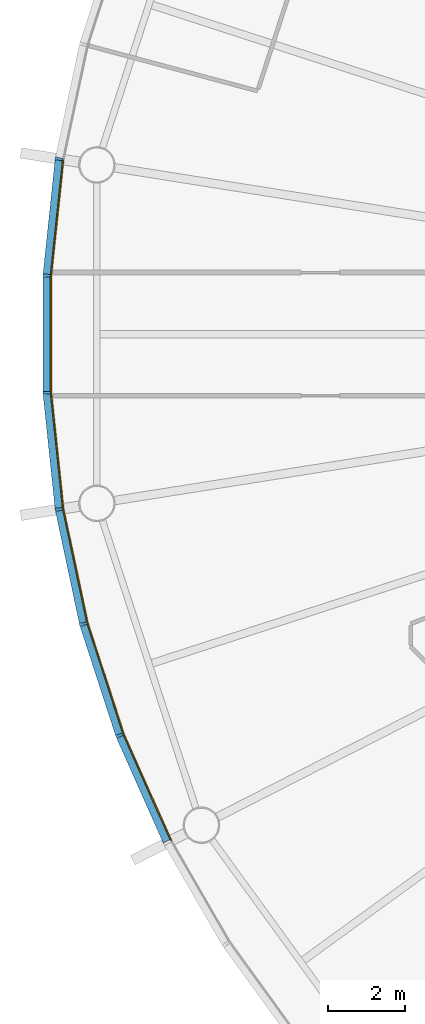
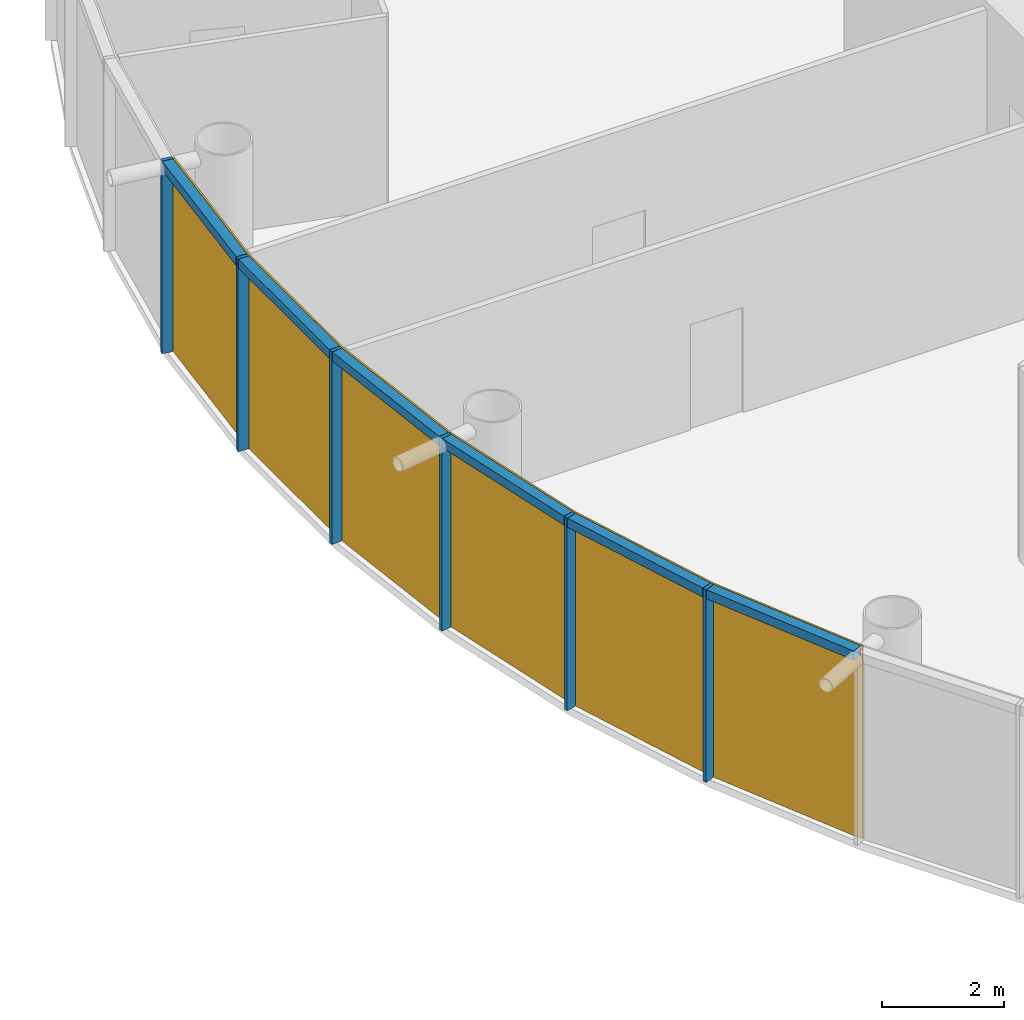
# One storey, part 8 of 13: 12 members, 2 curtain walls.
"""IFC4 building model written with IfcOpenShell, lengths in metres."""

from ifc_helpers import new_model, si_unit, direction, frame, origin, origin_2d, place, context, subcontext, project, spatial, polyline, rectangle, outline, extrude, material, layer, layer_set, material_profile, profile_set, type_object, element, aggregate, save


model = new_model("IFC4")

# Units and contexts
model_context = context("Model", 3, precision=1e-05, world=origin(), true_north=direction((0.0, 1.0)))
body_context = subcontext(model_context, "Body", "Model", "MODEL_VIEW")
ifc_project = project(units=[si_unit("LENGTHUNIT", "METRE"), si_unit("AREAUNIT", "SQUARE_METRE"), si_unit("VOLUMEUNIT", "CUBIC_METRE"), si_unit("PLANEANGLEUNIT", "RADIAN"), si_unit("MASSUNIT", "GRAM", prefix="KILO")], contexts=[model_context])

# Member
ifc_material_1 = material(Name="Anodised aluminium", Category="aluminium")
ifc_material_profile_1 = material_profile(ifc_material_1, rectangle(XDim=0.06494140625, YDim=0.195068359375, at=origin_2d()), Name="Mullion 65 x 195 mm anodised aluminium")
ifc_profile_set_1 = profile_set([ifc_material_profile_1], Name="Anodised aluminium")
member_type_1 = type_object("IfcMemberType", Name="Mullion 65 x 195 mm anodised aluminium", PredefinedType="MULLION", material=ifc_profile_set_1)
site_placement = place(None, origin())
building_placement = place(site_placement, origin())
storey_placement = place(building_placement, frame((0.0, 0.0, 290.0)))
member_1_placement = place(storey_placement, frame((61.2607421875, 84.5517578125, 0.0), z_axis=(0.0, 0.0, 1.0), x_axis=(-0.15643446504, -0.987688340595, 0.0)))
member_1 = element("IfcMember", 1, at=member_1_placement, type_object=member_type_1, Name="MULLION L66-27", PredefinedType="MULLION", context=body_context, shape_type="SweptSolid", body=[
    extrude(rectangle(XDim=0.06494140625, YDim=0.195068359375, at=origin_2d()), origin(), (0.0, 0.0, 1.0), 3.85009765625),
])

member_2_placement = place(storey_placement, frame((60.9423828125, 81.52294921875, 0.0), z_axis=(0.0, 0.0, 1.0), x_axis=(-0.052335956243, -0.998629534755, 0.0)))
member_2 = element("IfcMember", 2, at=member_2_placement, type_object=member_type_1, Name="MULLION L66-28", PredefinedType="MULLION", context=body_context, shape_type="SweptSolid", body=[
    extrude(rectangle(XDim=0.06494140625, YDim=0.195068359375, at=origin_2d()), origin(), (0.0, 0.0, 1.0), 3.85009765625),
])

member_3_placement = place(storey_placement, frame((60.9423828125, 78.47705078125, 0.0), z_axis=(0.0, 0.0, 1.0), x_axis=(0.052335956243, -0.998629534755, 0.0)))
member_3 = element("IfcMember", 3, at=member_3_placement, type_object=member_type_1, Name="MULLION L66-29", PredefinedType="MULLION", context=body_context, shape_type="SweptSolid", body=[
    extrude(rectangle(XDim=0.06494140625, YDim=0.195068359375, at=origin_2d()), origin(), (0.0, 0.0, 1.0), 3.85009765625),
])

member_4_placement = place(storey_placement, frame((61.2607421875, 75.4482421875, 0.0), z_axis=(0.0, 0.0, 1.0), x_axis=(0.15643446504, -0.987688340595, 0.0)))
member_4 = element("IfcMember", 4, at=member_4_placement, type_object=member_type_1, Name="MULLION L66-30", PredefinedType="MULLION", context=body_context, shape_type="SweptSolid", body=[
    extrude(rectangle(XDim=0.06494140625, YDim=0.195068359375, at=origin_2d()), origin(), (0.0, 0.0, 1.0), 3.85009765625),
])

member_5_placement = place(storey_placement, frame((61.89404296875, 72.468994140625, 0.0), z_axis=(0.0, 0.0, 1.0), x_axis=(0.258819045103, -0.965925826289, 0.0)))
member_5 = element("IfcMember", 5, at=member_5_placement, type_object=member_type_1, Name="MULLION L66-31", PredefinedType="MULLION", context=body_context, shape_type="SweptSolid", body=[
    extrude(rectangle(XDim=0.06494140625, YDim=0.195068359375, at=origin_2d()), origin(), (0.0, 0.0, 1.0), 3.85009765625),
])

member_6_placement = place(storey_placement, frame((62.835205078125, 69.572509765625, 0.0), z_axis=(0.0, 0.0, 1.0), x_axis=(0.358367949545, -0.933580426497, 0.0)))
member_6 = element("IfcMember", 6, at=member_6_placement, type_object=member_type_1, Name="MULLION L66-32", PredefinedType="MULLION", context=body_context, shape_type="SweptSolid", body=[
    extrude(rectangle(XDim=0.06494140625, YDim=0.195068359375, at=origin_2d()), origin(), (0.0, 0.0, 1.0), 3.85009765625),
])

ifc_material_2 = material(Name="Anodised aluminium", Category="aluminium")
ifc_material_profile_2 = material_profile(ifc_material_2, rectangle(XDim=0.195068359375, YDim=0.179931640625, at=origin_2d()), Name="Transom 180 x 195 mm anodised aluminium")
ifc_profile_set_2 = profile_set([ifc_material_profile_2], Name="Anodised aluminium")
member_type_2 = type_object("IfcMemberType", Name="Transom 180 x 195 mm anodised aluminium", PredefinedType="USERDEFINED", material=ifc_profile_set_2)
member_7_placement = place(storey_placement, frame((61.256591796875, 84.514404296875, 3.760009765625), z_axis=(-0.104466577987, -0.994528397827, 0.0), x_axis=(0.994528397827, -0.104466577987, 0.0)))
member_7 = element("IfcMember", 7, at=member_7_placement, type_object=member_type_2, Name="TRANSOM L66-27", ObjectType="TRANSOM", PredefinedType="USERDEFINED", context=body_context, shape_type="SweptSolid", body=[
    extrude(rectangle(XDim=0.195068359375, YDim=0.179931640625, at=origin_2d()), origin(), (0.0, 0.0, 1.0), 2.970458984375),
])

member_8_placement = place(storey_placement, frame((60.942138671875, 81.4853515625, 3.760009765625), z_axis=(0.0, -1.0, 0.0), x_axis=(1.0, 0.0, 0.0)))
member_8 = element("IfcMember", 8, at=member_8_placement, type_object=member_type_2, Name="TRANSOM L66-28", ObjectType="TRANSOM", PredefinedType="USERDEFINED", context=body_context, shape_type="SweptSolid", body=[
    extrude(rectangle(XDim=0.195068359375, YDim=0.179931640625, at=origin_2d()), origin(), (0.0, 0.0, 1.0), 2.970703125),
])

member_9_placement = place(storey_placement, frame((60.9462890625, 78.439697265625, 3.760009765625), z_axis=(0.104466577987, -0.994528397827, 0.0), x_axis=(0.994528397827, 0.104466577987, 0.0)))
member_9 = element("IfcMember", 9, at=member_9_placement, type_object=member_type_2, Name="TRANSOM L66-29", ObjectType="TRANSOM", PredefinedType="USERDEFINED", context=body_context, shape_type="SweptSolid", body=[
    extrude(rectangle(XDim=0.195068359375, YDim=0.179931640625, at=origin_2d()), origin(), (0.0, 0.0, 1.0), 2.970458984375),
])

member_10_placement = place(storey_placement, frame((61.268310546875, 75.411376953125, 3.760009765625), z_axis=(0.207940342877, -0.978141510112, 0.0), x_axis=(0.978141510112, 0.207940342877, 0.0)))
member_10 = element("IfcMember", 10, at=member_10_placement, type_object=member_type_2, Name="TRANSOM L66-30", ObjectType="TRANSOM", PredefinedType="USERDEFINED", context=body_context, shape_type="SweptSolid", body=[
    extrude(rectangle(XDim=0.195068359375, YDim=0.179931640625, at=origin_2d()), origin(), (0.0, 0.0, 1.0), 2.970458984375),
])

member_11_placement = place(storey_placement, frame((61.905517578125, 72.43310546875, 3.760009765625), z_axis=(0.309043326415, -0.951047960094, 0.0), x_axis=(0.951047960094, 0.309043326415, 0.0)))
member_11 = element("IfcMember", 11, at=member_11_placement, type_object=member_type_2, Name="TRANSOM L66-31", ObjectType="TRANSOM", PredefinedType="USERDEFINED", context=body_context, shape_type="SweptSolid", body=[
    extrude(rectangle(XDim=0.195068359375, YDim=0.179931640625, at=origin_2d()), origin(), (0.0, 0.0, 1.0), 2.970458984375),
])

member_12_placement = place(storey_placement, frame((62.850341796875, 69.5380859375, 3.760009765625), z_axis=(0.406725527369, -0.913550406593, 0.0), x_axis=(0.913550406593, 0.406725527369, 0.0)))
member_12 = element("IfcMember", 12, at=member_12_placement, type_object=member_type_2, Name="TRANSOM L66-32", ObjectType="TRANSOM", PredefinedType="USERDEFINED", context=body_context, shape_type="SweptSolid", body=[
    extrude(rectangle(XDim=0.195068359375, YDim=0.179931640625, at=origin_2d()), origin(), (0.0, 0.0, 1.0), 2.970703125),
])

# Site, building, storey
site = spatial("IfcSite", under=ifc_project, at=site_placement, CompositionType="ELEMENT")
building = spatial("IfcBuilding", under=site, at=building_placement, Name="Entoto Ring Tower", CompositionType="ELEMENT")
storey = spatial("IfcBuildingStorey", under=building, at=storey_placement, Name="L66", CompositionType="ELEMENT", Elevation=290.0)

# Curtain wall
ifc_material_3 = material(Name="Clear low-iron glass", Category="glass")
ifc_layer = layer(ifc_material_3, 0.033935546875)
ifc_layer_set = layer_set([ifc_layer], Name="Clear low-iron glass")
curtain_wall_type = type_object("IfcCurtainWallType", Name="Curtain wall system CW5 glazing 34 mm", PredefinedType="NOTDEFINED", material=ifc_layer_set)
curtain_wall_1_placement = place(storey_placement, origin())
curtain_wall_1 = element("IfcCurtainWall", 13, at=curtain_wall_1_placement, inside=storey, type_object=curtain_wall_type, Name="CW5 L66-10", PredefinedType="NOTDEFINED", context=body_context, shape_type="SweptSolid", body=[
    extrude(outline(polyline([(61.35693359375, 84.53662109375), (61.039794921875, 81.517822265625), (61.039794921875, 78.482177734375), (61.35693359375, 75.46337890625), (61.390625, 75.46875), (61.07373046875, 78.484130859375), (61.07373046875, 81.515869140625), (61.390625, 84.53125), (61.35693359375, 84.53662109375)])), origin(), (0.0, 0.0, 1.0), 3.85009765625),
])

aggregate(curtain_wall_1, [member_1, member_2, member_3, member_7, member_8, member_9])

curtain_wall_2_placement = place(storey_placement, origin())
curtain_wall_2 = element("IfcCurtainWall", 14, at=curtain_wall_2_placement, inside=storey, type_object=curtain_wall_type, Name="CW5 L66-11", PredefinedType="NOTDEFINED", context=body_context, shape_type="SweptSolid", body=[
    extrude(outline(polyline([(61.35693359375, 75.46337890625), (61.988037109375, 72.494140625), (62.92626953125, 69.607421875), (64.160888671875, 66.834228515625), (64.191162109375, 66.849853515625), (62.9580078125, 69.61962890625), (62.02099609375, 72.503173828125), (61.390625, 75.46875), (61.35693359375, 75.46337890625)])), origin(), (0.0, 0.0, 1.0), 3.85009765625),
])

aggregate(curtain_wall_2, [member_4, member_5, member_6, member_10, member_11, member_12])

save(model, "model.ifc")
